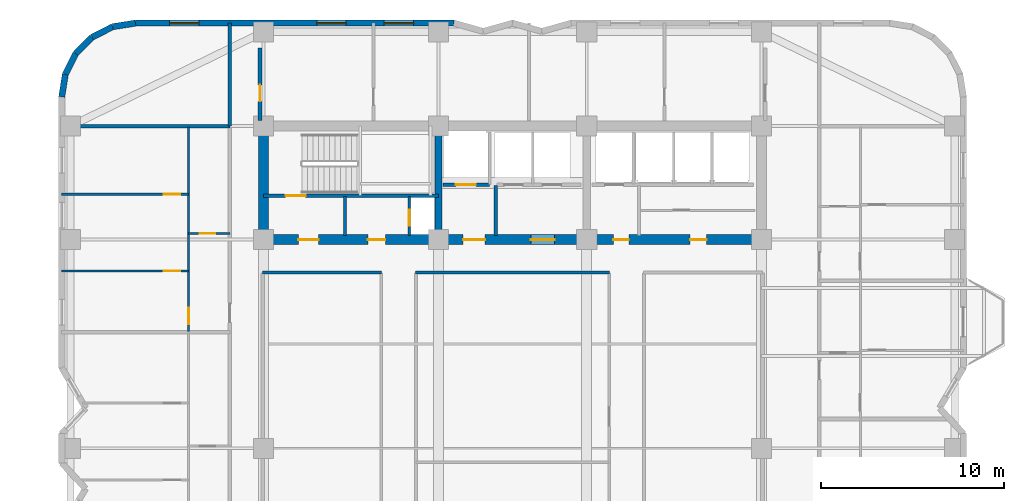
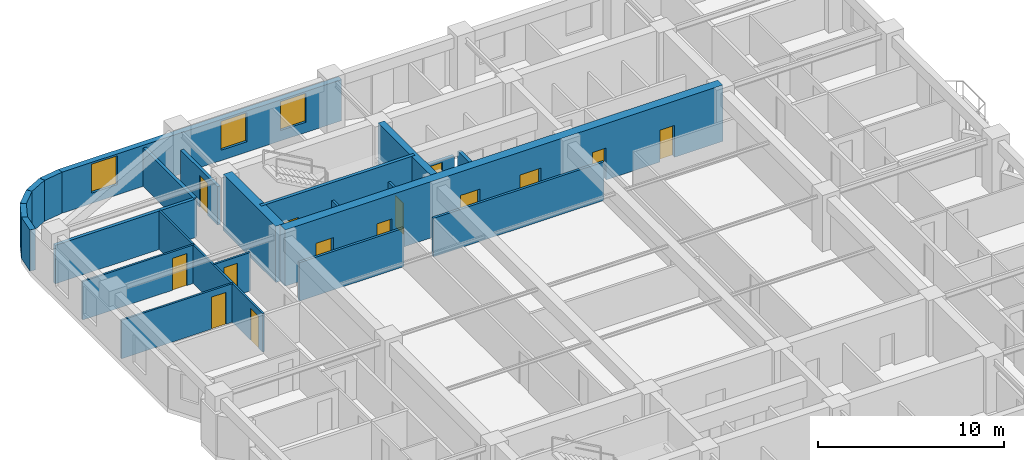
# One storey, part 6 of 10: 23 walls, 14 doors, 3 windows, 17 openings.
"""IFC4 building model written with IfcOpenShell, lengths in metres."""

from ifc_helpers import new_model, si_unit, direction, frame, frame_2d, origin, place, context, subcontext, project, spatial, rectangle, extrude, material, layer, layer_set, type_object, element, fill, save


model = new_model("IFC4")

# Units and contexts
model_context = context("Model", 3, precision=1e-05, world=origin(), true_north=direction((0.0, 1.0)))
body_context = subcontext(model_context, "Body", "Model", "MODEL_VIEW")
ifc_project = project(units=[si_unit("LENGTHUNIT", "METRE"), si_unit("AREAUNIT", "SQUARE_METRE"), si_unit("VOLUMEUNIT", "CUBIC_METRE"), si_unit("PLANEANGLEUNIT", "RADIAN"), si_unit("MASSUNIT", "GRAM", prefix="KILO")], contexts=[model_context])

# Site, building, storey
site_placement = place(None, origin())
site = spatial("IfcSite", under=ifc_project, at=site_placement, CompositionType="ELEMENT")
building_placement = place(site_placement, origin())
building = spatial("IfcBuilding", under=site, at=building_placement, Name="Svetorya Sky Lyceum", CompositionType="ELEMENT")
storey_placement = place(building_placement, frame((0.0, 0.0, 114.199951171875)))
storey = spatial("IfcBuildingStorey", under=building, at=storey_placement, Name="L28", CompositionType="ELEMENT", Elevation=114.199951171875)

# Walls
ifc_material_1 = material(Name="Concrete C40/50", Category="concrete")
ifc_layer_1 = layer(ifc_material_1, 0.39990234375)
ifc_layer_set_1 = layer_set([ifc_layer_1], Name="Concrete C40/50")
wall_type_1 = type_object("IfcWallType", Name="WL-CORE-400", PredefinedType="SHEAR", material=ifc_layer_set_1)
wall_1_placement = place(storey_placement, frame((35.14990234375, 39.875, 0.0), z_axis=(0.0, 0.0, 1.0), x_axis=(0.0, 1.0, 0.0)))
element("IfcWall", 1, at=wall_1_placement, inside=storey, type_object=wall_type_1, Name="L28 NC Internal Shear Web WEB1", PredefinedType="SHEAR", context=body_context, shape_type="SweptSolid", body=[
    extrude(rectangle(XDim=5.64990234375, YDim=0.39990234375, at=frame_2d((2.824951171875, 0.0))), origin(), (0.0, 0.0, 1.0), 3.699951171875),
])
ifc_material_2 = material(Name="Concrete C60/75", Category="concrete")
ifc_layer_2 = layer(ifc_material_2, 0.550048828125)
ifc_layer_set_2 = layer_set([ifc_layer_2], Name="Concrete C60/75")
wall_type_2 = type_object("IfcWallType", Name="WL-CORE-550", PredefinedType="SHEAR", material=ifc_layer_set_2)
wall_2_placement = place(storey_placement, frame((25.60009765625, 39.875, 0.0), z_axis=(0.0, 0.0, 1.0), x_axis=(0.0, 1.0, 0.0)))
element("IfcWall", 2, at=wall_2_placement, inside=storey, type_object=wall_type_2, Name="L28 NC West Core Shear Wall", PredefinedType="SHEAR", context=body_context, shape_type="SweptSolid", body=[
    extrude(rectangle(XDim=5.64990234375, YDim=0.550048828125, at=frame_2d((2.824951171875, 0.0))), origin(), (0.0, 0.0, 1.0), 3.699951171875),
])

# Wall, openings, doors
wall_3_placement = place(storey_placement, frame((52.800048828125, 39.60009765625, 0.0), z_axis=(0.0, 0.0, 1.0), x_axis=(-1.0, 0.0, 0.0)))
wall_3 = element("IfcWall", 3, at=wall_3_placement, inside=storey, type_object=wall_type_2, Name="L28 NC Inner Core Shear Wall", PredefinedType="SHEAR", context=body_context, shape_type="SweptSolid", body=[
    extrude(rectangle(XDim=27.199951171875, YDim=0.550048828125, at=frame_2d((13.60009765625, 0.0))), origin(), (0.0, 0.0, 1.0), 3.699951171875),
])
opening_1_placement = place(wall_3_placement, frame((24.199951171875, 0.0, 0.0)))
opening_1 = element("IfcOpeningElement", 4, at=opening_1_placement, cuts=wall_3, Name="Opening D-ST1", PredefinedType="OPENING", context=body_context, shape_type="SweptSolid", body=[
    extrude(rectangle(XDim=1.10009765625, YDim=2.14990234375, at=frame_2d((0.550048828125, 1.074951171875))), frame((0.0, 0.284912109375, 0.0), z_axis=(0.0, -1.0, 0.0), x_axis=(1.0, 0.0, 0.0)), (0.0, 0.0, 1.0), 0.570068359375),
])
opening_2_placement = place(wall_3_placement, frame((20.550048828125, 0.0, 0.0)))
opening_2 = element("IfcOpeningElement", 5, at=opening_2_placement, cuts=wall_3, Name="Opening D-CAC1", PredefinedType="OPENING", context=body_context, shape_type="SweptSolid", body=[
    extrude(rectangle(XDim=0.949951171875, YDim=2.10009765625, at=frame_2d((0.47509765625, 1.050048828125))), frame((0.0, 0.284912109375, 0.0), z_axis=(0.0, -1.0, 0.0), x_axis=(1.0, 0.0, 0.0)), (0.0, 0.0, 1.0), 0.570068359375),
])
opening_3_placement = place(wall_3_placement, frame((15.10009765625, 0.0, 0.0)))
opening_3 = element("IfcOpeningElement", 6, at=opening_3_placement, cuts=wall_3, Name="Opening D-FL1", PredefinedType="OPENING", context=body_context, shape_type="SweptSolid", body=[
    extrude(rectangle(XDim=1.199951171875, YDim=2.14990234375, at=frame_2d((0.60009765625, 1.074951171875))), frame((0.0, 0.284912109375, 0.0), z_axis=(0.0, -1.0, 0.0), x_axis=(1.0, 0.0, 0.0)), (0.0, 0.0, 1.0), 0.570068359375),
])
opening_4_placement = place(wall_3_placement, frame((11.300048828125, 0.0, 0.0)))
opening_4 = element("IfcOpeningElement", 7, at=opening_4_placement, cuts=wall_3, Name="Opening D-LB1", PredefinedType="OPENING", context=body_context, shape_type="SweptSolid", body=[
    extrude(rectangle(XDim=1.300048828125, YDim=2.199951171875, at=frame_2d((0.64990234375, 1.10009765625))), frame((0.0, 0.284912109375, 0.0), z_axis=(0.0, -1.0, 0.0), x_axis=(1.0, 0.0, 0.0)), (0.0, 0.0, 1.0), 0.570068359375),
])
opening_5_placement = place(wall_3_placement, frame((7.25, 0.0, 0.0)))
opening_5 = element("IfcOpeningElement", 8, at=opening_5_placement, cuts=wall_3, Name="Opening D-CWC1", PredefinedType="OPENING", context=body_context, shape_type="SweptSolid", body=[
    extrude(rectangle(XDim=0.85009765625, YDim=2.10009765625, at=frame_2d((0.425048828125, 1.050048828125))), frame((0.0, 0.284912109375, 0.0), z_axis=(0.0, -1.0, 0.0), x_axis=(1.0, 0.0, 0.0)), (0.0, 0.0, 1.0), 0.570068359375),
])
opening_6_placement = place(wall_3_placement, frame((3.0, 0.0, 0.0)))
opening_6 = element("IfcOpeningElement", 9, at=opening_6_placement, cuts=wall_3, Name="Opening D-RM1", PredefinedType="OPENING", context=body_context, shape_type="SweptSolid", body=[
    extrude(rectangle(XDim=0.89990234375, YDim=2.10009765625, at=frame_2d((0.449951171875, 1.050048828125))), frame((0.0, 0.284912109375, 0.0), z_axis=(0.0, -1.0, 0.0), x_axis=(1.0, 0.0, 0.0)), (0.0, 0.0, 1.0), 0.570068359375),
])
ifc_material_3 = material(Name="Fire-rated galvanized steel core accessible WC door", Category="steel")
door_type_1 = type_object("IfcDoorType", Name="DR-CACC-950", OperationType="SINGLE_SWING_LEFT", PredefinedType="DOOR", material=ifc_material_3)
door_1_placement = place(opening_2_placement, origin())
door_1 = element("IfcDoor", 10, at=door_1_placement, inside=storey, type_object=door_type_1, Name="L28 North Core Accessible WC Door", OperationType="SINGLE_SWING_RIGHT", OverallHeight=2.10009765625, OverallWidth=0.949951171875, PredefinedType="DOOR", context=body_context, shape_type="SweptSolid", body=[
    extrude(rectangle(XDim=0.949951171875, YDim=2.10009765625, at=frame_2d((0.47509765625, 1.050048828125))), frame((0.0, 0.02490234375, 0.0), z_axis=(0.0, -1.0, 0.0), x_axis=(1.0, 0.0, 0.0)), (0.0, 0.0, 1.0), 0.050048828125),
])
fill(opening_2, door_1)
ifc_material_4 = material(Name="Fire-rated galvanized steel core service closet door", Category="steel")
door_type_2 = type_object("IfcDoorType", Name="DR-CWET-850", OperationType="SINGLE_SWING_LEFT", PredefinedType="DOOR", material=ifc_material_4)
door_2_placement = place(opening_5_placement, origin())
door_2 = element("IfcDoor", 11, at=door_2_placement, inside=storey, type_object=door_type_2, Name="L28 Mid-Rise Lift PM3 Lobby Door", OperationType="SINGLE_SWING_LEFT", OverallHeight=2.10009765625, OverallWidth=0.85009765625, PredefinedType="DOOR", context=body_context, shape_type="SweptSolid", body=[
    extrude(rectangle(XDim=0.85009765625, YDim=2.10009765625, at=frame_2d((0.425048828125, 1.050048828125))), frame((0.0, 0.02490234375, 0.0), z_axis=(0.0, -1.0, 0.0), x_axis=(1.0, 0.0, 0.0)), (0.0, 0.0, 1.0), 0.050048828125),
])
fill(opening_5, door_2)
ifc_material_5 = material(Name="Powder-coated insulated galvanized stair fire door")
door_type_3 = type_object("IfcDoorType", Name="DR-FIRE-1100", OperationType="SINGLE_SWING_LEFT", PredefinedType="DOOR", material=ifc_material_5)
door_3_placement = place(opening_1_placement, origin())
door_3 = element("IfcDoor", 12, at=door_3_placement, inside=storey, type_object=door_type_3, Name="L28 North Stair Airlock Door", OperationType="SINGLE_SWING_LEFT", OverallHeight=2.14990234375, OverallWidth=1.10009765625, PredefinedType="DOOR", context=body_context, shape_type="SweptSolid", body=[
    extrude(rectangle(XDim=1.10009765625, YDim=2.14990234375, at=frame_2d((0.550048828125, 1.074951171875))), frame((0.0, 0.02490234375, 0.0), z_axis=(0.0, -1.0, 0.0), x_axis=(1.0, 0.0, 0.0)), (0.0, 0.0, 1.0), 0.050048828125),
])
fill(opening_1, door_3)
ifc_material_6 = material(Name="Powder-coated insulated galvanized fire door")
door_type_4 = type_object("IfcDoorType", Name="DR-FIRE-1200", OperationType="SINGLE_SWING_LEFT", PredefinedType="DOOR", material=ifc_material_6)
door_4_placement = place(opening_3_placement, origin())
door_4 = element("IfcDoor", 13, at=door_4_placement, inside=storey, type_object=door_type_4, Name="L28 North Firefighting Lift Lobby Door", OperationType="SINGLE_SWING_RIGHT", OverallHeight=2.14990234375, OverallWidth=1.199951171875, PredefinedType="DOOR", context=body_context, shape_type="SweptSolid", body=[
    extrude(rectangle(XDim=1.199951171875, YDim=2.14990234375, at=frame_2d((0.60009765625, 1.074951171875))), frame((0.0, 0.02490234375, 0.0), z_axis=(0.0, -1.0, 0.0), x_axis=(1.0, 0.0, 0.0)), (0.0, 0.0, 1.0), 0.050048828125),
])
fill(opening_3, door_4)
ifc_material_7 = material(Name="Lacquered birch veneer internal door")
door_type_5 = type_object("IfcDoorType", Name="DR-INT-900", OperationType="SINGLE_SWING_LEFT", PredefinedType="DOOR", material=ifc_material_7)
door_5_placement = place(opening_6_placement, origin())
door_5 = element("IfcDoor", 14, at=door_5_placement, inside=storey, type_object=door_type_5, Name="L28 Mid-Rise Pantry Door", OperationType="SINGLE_SWING_LEFT", OverallHeight=2.10009765625, OverallWidth=0.89990234375, PredefinedType="DOOR", context=body_context, shape_type="SweptSolid", body=[
    extrude(rectangle(XDim=0.89990234375, YDim=2.10009765625, at=frame_2d((0.449951171875, 1.050048828125))), frame((0.0, 0.02490234375, 0.0), z_axis=(0.0, -1.0, 0.0), x_axis=(1.0, 0.0, 0.0)), (0.0, 0.0, 1.0), 0.050048828125),
])
fill(opening_6, door_5)
ifc_material_8 = material(Name="Glazed fire-rated aluminium lobby door", Category="aluminium")
door_type_6 = type_object("IfcDoorType", Name="DR-LOB-1300", OperationType="SINGLE_SWING_LEFT", PredefinedType="DOOR", material=ifc_material_8)
door_6_placement = place(opening_4_placement, origin())
door_6 = element("IfcDoor", 15, at=door_6_placement, inside=storey, type_object=door_type_6, Name="L28 Mid-Rise Lift Lobby West Door", OperationType="SINGLE_SWING_LEFT", OverallHeight=2.199951171875, OverallWidth=1.300048828125, PredefinedType="DOOR", context=body_context, shape_type="SweptSolid", body=[
    extrude(rectangle(XDim=1.300048828125, YDim=2.199951171875, at=frame_2d((0.64990234375, 1.10009765625))), frame((0.0, 0.02490234375, 0.0), z_axis=(0.0, -1.0, 0.0), x_axis=(1.0, 0.0, 0.0)), (0.0, 0.0, 1.0), 0.050048828125),
])
fill(opening_4, door_6)

# Wall, openings, windows
ifc_material_9 = material(Name="Putilovo limestone rainscreen on autoclaved cellular masonry", Category="masonry")
ifc_layer_3 = layer(ifc_material_9, 0.340087890625)
ifc_layer_set_3 = layer_set([ifc_layer_3], Name="Putilovo limestone rainscreen on autoclaved cellular masonry")
wall_type_3 = type_object("IfcWallType", Name="WL-EXT-340", PredefinedType="SOLIDWALL", material=ifc_layer_set_3)
wall_4_placement = place(storey_placement, frame((36.0, 51.429931640625, 0.0), z_axis=(0.0, 0.0, 1.0), x_axis=(-1.0, 0.0, 0.0)))
wall_4 = element("IfcWall", 16, at=wall_4_placement, inside=storey, type_object=wall_type_3, Name="L28 Limestone Exterior Wall 34M", PredefinedType="SOLIDWALL", context=body_context, shape_type="SweptSolid", body=[
    extrude(rectangle(XDim=17.39990234375, YDim=0.340087890625, at=frame_2d((8.699951171875, 0.0))), origin(), (0.0, 0.0, 1.0), 2.699951171875),
])
opening_7_placement = place(wall_4_placement, frame((2.21240234375, 0.0, 0.679931640625)))
opening_7 = element("IfcOpeningElement", 17, at=opening_7_placement, cuts=wall_4, Name="Opening W-R4", PredefinedType="OPENING", context=body_context, shape_type="SweptSolid", body=[
    extrude(rectangle(XDim=1.60009765625, YDim=1.89990234375, at=frame_2d((0.800048828125, 0.949951171875))), frame((0.0, 0.179931640625, 0.0), z_axis=(0.0, -1.0, 0.0), x_axis=(1.0, 0.0, 0.0)), (0.0, 0.0, 1.0), 0.360107421875),
])
opening_8_placement = place(wall_4_placement, frame((5.887451171875, 0.0, 0.679931640625)))
opening_8 = element("IfcOpeningElement", 18, at=opening_8_placement, cuts=wall_4, Name="Opening W-R4", PredefinedType="OPENING", context=body_context, shape_type="SweptSolid", body=[
    extrude(rectangle(XDim=1.60009765625, YDim=1.89990234375, at=frame_2d((0.800048828125, 0.949951171875))), frame((0.0, 0.179931640625, 0.0), z_axis=(0.0, -1.0, 0.0), x_axis=(1.0, 0.0, 0.0)), (0.0, 0.0, 1.0), 0.360107421875),
])
opening_9_placement = place(wall_4_placement, frame((13.9375, 0.0, 0.679931640625)))
opening_9 = element("IfcOpeningElement", 19, at=opening_9_placement, cuts=wall_4, Name="Opening W-R4", PredefinedType="OPENING", context=body_context, shape_type="SweptSolid", body=[
    extrude(rectangle(XDim=1.60009765625, YDim=1.89990234375, at=frame_2d((0.800048828125, 0.949951171875))), frame((0.0, 0.179931640625, 0.0), z_axis=(0.0, -1.0, 0.0), x_axis=(1.0, 0.0, 0.0)), (0.0, 0.0, 1.0), 0.360107421875),
])
ifc_material_10 = material(Name="Thermally broken aluminium frame with triple low-E glazing", Category="aluminium")
window_type = type_object("IfcWindowType", Name="WN-RES-160", PartitioningType="DOUBLE_PANEL_VERTICAL", PredefinedType="WINDOW", material=ifc_material_10)
window_1_placement = place(opening_7_placement, origin())
window_1 = element("IfcWindow", 20, at=window_1_placement, inside=storey, type_object=window_type, Name="L28 Facade Window W-R4.34M.1", OverallHeight=1.89990234375, OverallWidth=1.60009765625, PartitioningType="SINGLE_PANEL", PredefinedType="WINDOW", context=body_context, shape_type="SweptSolid", body=[
    extrude(rectangle(XDim=1.60009765625, YDim=1.89990234375, at=frame_2d((0.800048828125, 0.949951171875))), frame((0.0, 0.030029296875, 0.0), z_axis=(0.0, -1.0, 0.0), x_axis=(1.0, 0.0, 0.0)), (0.0, 0.0, 1.0), 0.06005859375),
])
fill(opening_7, window_1)
window_2_placement = place(opening_8_placement, origin())
window_2 = element("IfcWindow", 21, at=window_2_placement, inside=storey, type_object=window_type, Name="L28 Facade Window W-R4.34M.2", OverallHeight=1.89990234375, OverallWidth=1.60009765625, PartitioningType="SINGLE_PANEL", PredefinedType="WINDOW", context=body_context, shape_type="SweptSolid", body=[
    extrude(rectangle(XDim=1.60009765625, YDim=1.89990234375, at=frame_2d((0.800048828125, 0.949951171875))), frame((0.0, 0.030029296875, 0.0), z_axis=(0.0, -1.0, 0.0), x_axis=(1.0, 0.0, 0.0)), (0.0, 0.0, 1.0), 0.06005859375),
])
fill(opening_8, window_2)
window_3_placement = place(opening_9_placement, origin())
window_3 = element("IfcWindow", 22, at=window_3_placement, inside=storey, type_object=window_type, Name="L28 Facade Window W-R4.34M.3", OverallHeight=1.89990234375, OverallWidth=1.60009765625, PartitioningType="SINGLE_PANEL", PredefinedType="WINDOW", context=body_context, shape_type="SweptSolid", body=[
    extrude(rectangle(XDim=1.60009765625, YDim=1.89990234375, at=frame_2d((0.800048828125, 0.949951171875))), frame((0.0, 0.030029296875, 0.0), z_axis=(0.0, -1.0, 0.0), x_axis=(1.0, 0.0, 0.0)), (0.0, 0.0, 1.0), 0.06005859375),
])
fill(opening_9, window_3)

# Walls
wall_5_placement = place(storey_placement, frame((18.60009765625, 51.429931640625, 0.0), z_axis=(0.0, 0.0, 1.0), x_axis=(-0.98771582066, -0.156260864002, 0.0)))
element("IfcWall", 23, at=wall_5_placement, inside=storey, type_object=wall_type_3, Name="L28 Limestone Exterior Wall 35M", PredefinedType="SOLIDWALL", context=body_context, shape_type="SweptSolid", body=[
    extrude(rectangle(XDim=1.2607421875, YDim=0.340087890625, at=frame_2d((0.63037109375, 0.0))), origin(), (0.0, 0.0, 1.0), 2.699951171875),
])
for number, where, z_axis, x_axis, name in (
    (24, (17.354736328125, 51.23291015625, 0.0), (0.0, 0.0, 1.0), (-0.890993689142, -0.454015689056, 0.0), "L28 Limestone Exterior Wall 36M"),
    (25, (16.231201171875, 50.660400390625, 0.0), (0.0, 0.0, 1.0), (-0.707106781187, -0.707106781187, 0.0), "L28 Limestone Exterior Wall 37M"),
    (26, (15.339599609375, 49.768798828125, 0.0), (0.0, 0.0, 1.0), (-0.454015689056, -0.890993689142, 0.0), "L28 Limestone Exterior Wall 38M"),
):
    element("IfcWall", number, at=place(storey_placement, frame(where, z_axis=z_axis, x_axis=x_axis)), inside=storey, type_object=wall_type_3, Name=name, PredefinedType="SOLIDWALL", context=body_context, shape_type="SweptSolid", body=[
        extrude(rectangle(XDim=1.260986328125, YDim=0.340087890625, at=frame_2d((0.63037109375, 0.0))), origin(), (0.0, 0.0, 1.0), 2.699951171875),
    ])
wall_6_placement = place(storey_placement, frame((14.76708984375, 48.645263671875, 0.0), z_axis=(0.0, 0.0, 1.0), x_axis=(-0.156260864002, -0.98771582066, 0.0)))
element("IfcWall", 27, at=wall_6_placement, inside=storey, type_object=wall_type_3, Name="L28 Limestone Exterior Wall 39M", PredefinedType="SOLIDWALL", context=body_context, shape_type="SweptSolid", body=[
    extrude(rectangle(XDim=1.2607421875, YDim=0.340087890625, at=frame_2d((0.63037109375, 0.0))), origin(), (0.0, 0.0, 1.0), 2.699951171875),
])

# Wall, opening, door
ifc_material_11 = material(Name="Twin-stud galvanized framing with double fireboard", Category="gypsum")
ifc_layer_4 = layer(ifc_material_11, 0.1201171875)
ifc_layer_set_4 = layer_set([ifc_layer_4], Name="Twin-stud galvanized framing with double fireboard")
wall_type_4 = type_object("IfcWallType", Name="WL-PART-120", PredefinedType="PARTITIONING", material=ifc_layer_set_4)
wall_7_placement = place(storey_placement, frame((21.5, 39.93603515625, 0.0), z_axis=(0.0, 0.0, 1.0), x_axis=(1.0, 0.0, 0.0)))
wall_7 = element("IfcWall", 28, at=wall_7_placement, inside=storey, type_object=wall_type_4, Name="L28 Interior Partition W3-WH1", PredefinedType="PARTITIONING", context=body_context, shape_type="SweptSolid", body=[
    extrude(rectangle(XDim=2.25, YDim=0.1201171875, at=frame_2d((1.125, 0.0))), origin(), (0.0, 0.0, 1.0), 2.530029296875),
])
opening_10_placement = place(wall_7_placement, frame((0.60009765625, 0.0, 0.0)))
opening_10 = element("IfcOpeningElement", 29, at=opening_10_placement, cuts=wall_7, Name="Opening D-BT1", PredefinedType="OPENING", context=body_context, shape_type="SweptSolid", body=[
    extrude(rectangle(XDim=0.85009765625, YDim=2.10009765625, at=frame_2d((0.425048828125, 1.050048828125))), frame((0.0, 0.070068359375, 0.0), z_axis=(0.0, -1.0, 0.0), x_axis=(1.0, 0.0, 0.0)), (0.0, 0.0, 1.0), 0.14013671875),
])
ifc_material_12 = material(Name="Moisture-resistant laminate bathroom door")
door_type_7 = type_object("IfcDoorType", Name="DR-WET-850", OperationType="SINGLE_SWING_LEFT", PredefinedType="DOOR", material=ifc_material_12)
door_7_placement = place(opening_10_placement, origin())
door_7 = element("IfcDoor", 30, at=door_7_placement, inside=storey, type_object=door_type_7, Name="Apartment W3 Bathroom Door", OperationType="SINGLE_SWING_LEFT", OverallHeight=2.10009765625, OverallWidth=0.85009765625, PredefinedType="DOOR", context=body_context, shape_type="SweptSolid", body=[
    extrude(rectangle(XDim=0.85009765625, YDim=2.10009765625, at=frame_2d((0.425048828125, 1.050048828125))), frame((0.0, 0.02490234375, 0.0), z_axis=(0.0, -1.0, 0.0), x_axis=(1.0, 0.0, 0.0)), (0.0, 0.0, 1.0), 0.050048828125),
])
fill(opening_10, door_7)

wall_8_placement = place(storey_placement, frame((14.570068359375, 37.885986328125, 0.0), z_axis=(0.0, 0.0, 1.0), x_axis=(1.0, 0.0, 0.0)))
wall_8 = element("IfcWall", 31, at=wall_8_placement, inside=storey, type_object=wall_type_4, Name="L28 Interior Partition W3-WL1", PredefinedType="PARTITIONING", context=body_context, shape_type="SweptSolid", body=[
    extrude(rectangle(XDim=6.929931640625, YDim=0.1201171875, at=frame_2d((3.46484375, 0.0))), origin(), (0.0, 0.0, 1.0), 2.530029296875),
])
opening_11_placement = place(wall_8_placement, frame((5.580078125, 0.0, 0.0)))
opening_11 = element("IfcOpeningElement", 32, at=opening_11_placement, cuts=wall_8, Name="Opening D-RM1", PredefinedType="OPENING", context=body_context, shape_type="SweptSolid", body=[
    extrude(rectangle(XDim=0.89990234375, YDim=2.10009765625, at=frame_2d((0.449951171875, 1.050048828125))), frame((0.0, 0.070068359375, 0.0), z_axis=(0.0, -1.0, 0.0), x_axis=(1.0, 0.0, 0.0)), (0.0, 0.0, 1.0), 0.14013671875),
])
door_8_placement = place(opening_11_placement, origin())
door_8 = element("IfcDoor", 33, at=door_8_placement, inside=storey, type_object=door_type_5, Name="Apartment W3 Master Bedroom Door", OperationType="SINGLE_SWING_LEFT", OverallHeight=2.10009765625, OverallWidth=0.89990234375, PredefinedType="DOOR", context=body_context, shape_type="SweptSolid", body=[
    extrude(rectangle(XDim=0.89990234375, YDim=2.10009765625, at=frame_2d((0.449951171875, 1.050048828125))), frame((0.0, 0.02490234375, 0.0), z_axis=(0.0, -1.0, 0.0), x_axis=(1.0, 0.0, 0.0)), (0.0, 0.0, 1.0), 0.050048828125),
])
fill(opening_11, door_8)

wall_9_placement = place(storey_placement, frame((14.570068359375, 42.0859375, 0.0), z_axis=(0.0, 0.0, 1.0), x_axis=(1.0, 0.0, 0.0)))
wall_9 = element("IfcWall", 34, at=wall_9_placement, inside=storey, type_object=wall_type_4, Name="L28 Interior Partition W3-WL2", PredefinedType="PARTITIONING", context=body_context, shape_type="SweptSolid", body=[
    extrude(rectangle(XDim=6.929931640625, YDim=0.1201171875, at=frame_2d((3.46484375, 0.0))), origin(), (0.0, 0.0, 1.0), 2.530029296875),
])
opening_12_placement = place(wall_9_placement, frame((5.580078125, 0.0, 0.0)))
opening_12 = element("IfcOpeningElement", 35, at=opening_12_placement, cuts=wall_9, Name="Opening D-RM1", PredefinedType="OPENING", context=body_context, shape_type="SweptSolid", body=[
    extrude(rectangle(XDim=0.89990234375, YDim=2.10009765625, at=frame_2d((0.449951171875, 1.050048828125))), frame((0.0, 0.070068359375, 0.0), z_axis=(0.0, -1.0, 0.0), x_axis=(1.0, 0.0, 0.0)), (0.0, 0.0, 1.0), 0.14013671875),
])
door_9_placement = place(opening_12_placement, origin())
door_9 = element("IfcDoor", 36, at=door_9_placement, inside=storey, type_object=door_type_5, Name="Apartment W3 Bedroom 2 Door", OperationType="SINGLE_SWING_RIGHT", OverallHeight=2.10009765625, OverallWidth=0.89990234375, PredefinedType="DOOR", context=body_context, shape_type="SweptSolid", body=[
    extrude(rectangle(XDim=0.89990234375, YDim=2.10009765625, at=frame_2d((0.449951171875, 1.050048828125))), frame((0.0, 0.02490234375, 0.0), z_axis=(0.0, -1.0, 0.0), x_axis=(1.0, 0.0, 0.0)), (0.0, 0.0, 1.0), 0.050048828125),
])
fill(opening_12, door_9)

wall_10_placement = place(storey_placement, frame((21.5, 34.575927734375, 0.0), z_axis=(0.0, 0.0, 1.0), x_axis=(0.0, 1.0, 0.0)))
wall_10 = element("IfcWall", 37, at=wall_10_placement, inside=storey, type_object=wall_type_4, Name="L28 Interior Partition W3-WV", PredefinedType="PARTITIONING", context=body_context, shape_type="SweptSolid", body=[
    extrude(rectangle(XDim=11.18408203125, YDim=0.1201171875, at=frame_2d((5.592041015625, 0.0))), origin(), (0.0, 0.0, 1.0), 2.530029296875),
])
opening_13_placement = place(wall_10_placement, frame((0.409912109375, 0.0, 0.0)))
opening_13 = element("IfcOpeningElement", 38, at=opening_13_placement, cuts=wall_10, Name="Opening D-RM1", PredefinedType="OPENING", context=body_context, shape_type="SweptSolid", body=[
    extrude(rectangle(XDim=0.89990234375, YDim=2.10009765625, at=frame_2d((0.449951171875, 1.050048828125))), frame((0.0, 0.070068359375, 0.0), z_axis=(0.0, -1.0, 0.0), x_axis=(1.0, 0.0, 0.0)), (0.0, 0.0, 1.0), 0.14013671875),
])
door_10_placement = place(opening_13_placement, origin())
door_10 = element("IfcDoor", 39, at=door_10_placement, inside=storey, type_object=door_type_5, Name="Apartment W3 Living Door", OperationType="SINGLE_SWING_RIGHT", OverallHeight=2.10009765625, OverallWidth=0.89990234375, PredefinedType="DOOR", context=body_context, shape_type="SweptSolid", body=[
    extrude(rectangle(XDim=0.89990234375, YDim=2.10009765625, at=frame_2d((0.449951171875, 1.050048828125))), frame((0.0, 0.02490234375, 0.0), z_axis=(0.0, -1.0, 0.0), x_axis=(1.0, 0.0, 0.0)), (0.0, 0.0, 1.0), 0.050048828125),
])
fill(opening_13, door_10)

ifc_material_13 = material(Name="Autoclaved cellular masonry blockwork with acoustic render", Category="masonry")
ifc_layer_5 = layer(ifc_material_13, 0.14990234375)
ifc_layer_set_5 = layer_set([ifc_layer_5], Name="Autoclaved cellular masonry blockwork with acoustic render")
wall_type_5 = type_object("IfcWallType", Name="WL-PART-150", PredefinedType="PARTITIONING", material=ifc_layer_set_5)
wall_11_placement = place(storey_placement, frame((33.550048828125, 39.820068359375, 0.0), z_axis=(0.0, 0.0, 1.0), x_axis=(0.0, 1.0, 0.0)))
wall_11 = element("IfcWall", 40, at=wall_11_placement, inside=storey, type_object=wall_type_5, Name="L28 Interior Partition NC-RSRW", PredefinedType="PARTITIONING", context=body_context, shape_type="SweptSolid", body=[
    extrude(rectangle(XDim=2.1298828125, YDim=0.14990234375, at=frame_2d((1.06494140625, 0.0))), origin(), (0.0, 0.0, 1.0), 2.530029296875),
])
opening_14_placement = place(wall_11_placement, frame((0.550048828125, 0.0, 0.0)))
opening_14 = element("IfcOpeningElement", 41, at=opening_14_placement, cuts=wall_11, Name="Opening D-SH1", PredefinedType="OPENING", context=body_context, shape_type="SweptSolid", body=[
    extrude(rectangle(XDim=0.85009765625, YDim=2.050048828125, at=frame_2d((0.425048828125, 1.02490234375))), frame((0.0, 0.0849609375, 0.0), z_axis=(0.0, -1.0, 0.0), x_axis=(1.0, 0.0, 0.0)), (0.0, 0.0, 1.0), 0.169921875),
])
ifc_material_14 = material(Name="Insulated galvanized riser inspection fire door")
door_type_8 = type_object("IfcDoorType", Name="DR-SHFT-850", OperationType="SINGLE_SWING_LEFT", PredefinedType="TRAPDOOR", material=ifc_material_14)
door_11_placement = place(opening_14_placement, origin())
door_11 = element("IfcDoor", 42, at=door_11_placement, inside=storey, type_object=door_type_8, Name="L28 North Riser Access Door", OperationType="SINGLE_SWING_LEFT", OverallHeight=2.050048828125, OverallWidth=0.85009765625, PredefinedType="TRAPDOOR", context=body_context, shape_type="SweptSolid", body=[
    extrude(rectangle(XDim=0.85009765625, YDim=2.050048828125, at=frame_2d((0.425048828125, 1.02490234375))), frame((0.0, 0.02490234375, 0.0), z_axis=(0.0, -1.0, 0.0), x_axis=(1.0, 0.0, 0.0)), (0.0, 0.0, 1.0), 0.050048828125),
])
fill(opening_14, door_11)

# Walls
wall_12_placement = place(storey_placement, frame((30.050048828125, 39.820068359375, 0.0), z_axis=(0.0, 0.0, 1.0), x_axis=(0.0, 1.0, 0.0)))
element("IfcWall", 43, at=wall_12_placement, inside=storey, type_object=wall_type_5, Name="L28 Interior Partition NC-NWD1", PredefinedType="PARTITIONING", context=body_context, shape_type="SweptSolid", body=[
    extrude(rectangle(XDim=2.1298828125, YDim=0.14990234375, at=frame_2d((1.06494140625, 0.0))), origin(), (0.0, 0.0, 1.0), 2.530029296875),
])
wall_13_placement = place(storey_placement, frame((25.550048828125, 37.800048828125, 0.0), z_axis=(0.0, 0.0, 1.0), x_axis=(1.0, 0.0, 0.0)))
element("IfcWall", 44, at=wall_13_placement, inside=storey, type_object=wall_type_5, Name="L28 Interior Partition RL-CN-W", PredefinedType="PARTITIONING", context=body_context, shape_type="SweptSolid", body=[
    extrude(rectangle(XDim=6.5, YDim=0.14990234375, at=frame_2d((3.25, 0.0))), origin(), (0.0, 0.0, 1.0), 2.530029296875),
])
wall_14_placement = place(storey_placement, frame((33.89990234375, 37.800048828125, 0.0), z_axis=(0.0, 0.0, 1.0), x_axis=(1.0, 0.0, 0.0)))
element("IfcWall", 45, at=wall_14_placement, inside=storey, type_object=wall_type_5, Name="L28 Interior Partition RL-CN-M", PredefinedType="PARTITIONING", context=body_context, shape_type="SweptSolid", body=[
    extrude(rectangle(XDim=10.60009765625, YDim=0.14990234375, at=frame_2d((5.300048828125, 0.0))), origin(), (0.0, 0.0, 1.0), 2.530029296875),
])

# Wall, opening, door
ifc_material_15 = material(Name="Autoclaved cellular masonry blockwork with gypsum plaster", Category="masonry")
ifc_layer_6 = layer(ifc_material_15, 0.199951171875)
ifc_layer_set_6 = layer_set([ifc_layer_6], Name="Autoclaved cellular masonry blockwork with gypsum plaster")
wall_type_6 = type_object("IfcWallType", Name="WL-PART-200", PredefinedType="PARTITIONING", material=ifc_layer_set_6)
wall_15_placement = place(storey_placement, frame((37.949951171875, 42.60009765625, 0.0), z_axis=(0.0, 0.0, 1.0), x_axis=(-1.0, 0.0, 0.0)))
wall_15 = element("IfcWall", 46, at=wall_15_placement, inside=storey, type_object=wall_type_6, Name="L28 Interior Partition NC-FL1W", PredefinedType="PARTITIONING", context=body_context, shape_type="SweptSolid", body=[
    extrude(rectangle(XDim=2.550048828125, YDim=0.199951171875, at=frame_2d((1.27490234375, 0.0))), origin(), (0.0, 0.0, 1.0), 2.300048828125),
])
opening_15_placement = place(wall_15_placement, frame((0.75, 0.0, 0.0)))
opening_15 = element("IfcOpeningElement", 47, at=opening_15_placement, cuts=wall_15, Name="Opening LD-FL", PredefinedType="OPENING", context=body_context, shape_type="SweptSolid", body=[
    extrude(rectangle(XDim=1.10009765625, YDim=2.14990234375, at=frame_2d((0.550048828125, 1.074951171875))), frame((0.0, 0.10986328125, 0.0), z_axis=(0.0, -1.0, 0.0), x_axis=(1.0, 0.0, 0.0)), (0.0, 0.0, 1.0), 0.219970703125),
])
ifc_material_16 = material(Name="Fire-rated stainless AISI 304 firefighting lift landing door")
door_type_9 = type_object("IfcDoorType", Name="DR-LIFT-1100", OperationType="SLIDING_TO_LEFT", PredefinedType="DOOR", material=ifc_material_16)
door_12_placement = place(opening_15_placement, origin())
door_12 = element("IfcDoor", 48, at=door_12_placement, inside=storey, type_object=door_type_9, Name="L28 Firefighting Lift FL1 Landing Door", OperationType="SLIDING_TO_LEFT", OverallHeight=2.14990234375, OverallWidth=1.10009765625, PredefinedType="DOOR", context=body_context, shape_type="SweptSolid", body=[
    extrude(rectangle(XDim=1.10009765625, YDim=2.14990234375, at=frame_2d((0.550048828125, 1.074951171875))), frame((0.0, 0.02490234375, 0.0), z_axis=(0.0, -1.0, 0.0), x_axis=(1.0, 0.0, 0.0)), (0.0, 0.0, 1.0), 0.050048828125),
])
fill(opening_15, door_12)

# Walls
wall_16_placement = place(storey_placement, frame((38.280029296875, 39.820068359375, 0.0), z_axis=(0.0, 0.0, 1.0), x_axis=(0.0, 1.0, 0.0)))
element("IfcWall", 49, at=wall_16_placement, inside=storey, type_object=wall_type_6, Name="L28 Interior Partition NC-FFLDIV", PredefinedType="PARTITIONING", context=body_context, shape_type="SweptSolid", body=[
    extrude(rectangle(XDim=2.72998046875, YDim=0.199951171875, at=frame_2d((1.364990234375, 0.0))), origin(), (0.0, 0.0, 1.0), 2.530029296875),
])
wall_17_placement = place(storey_placement, frame((14.989990234375, 45.800048828125, 0.0), z_axis=(0.0, 0.0, 1.0), x_axis=(1.0, 0.0, 0.0)))
element("IfcWall", 50, at=wall_17_placement, inside=storey, type_object=wall_type_6, Name="L28 Interior Partition W-CAP-N", PredefinedType="PARTITIONING", context=body_context, shape_type="SweptSolid", body=[
    extrude(rectangle(XDim=8.760009765625, YDim=0.199951171875, at=frame_2d((4.3798828125, 0.0))), origin(), (0.0, 0.0, 1.0), 2.530029296875),
])
wall_18_placement = place(storey_placement, frame((23.75, 45.800048828125, 0.0), z_axis=(0.0, 0.0, 1.0), x_axis=(0.0, 1.0, 0.0)))
element("IfcWall", 51, at=wall_18_placement, inside=storey, type_object=wall_type_6, Name="L28 Interior Partition WC-NW-END", PredefinedType="PARTITIONING", context=body_context, shape_type="SweptSolid", body=[
    extrude(rectangle(XDim=5.6298828125, YDim=0.199951171875, at=frame_2d((2.81494140625, 0.0))), origin(), (0.0, 0.0, 1.0), 2.530029296875),
])

# Wall, opening, door
wall_19_placement = place(storey_placement, frame((25.39990234375, 46.10009765625, 0.0), z_axis=(0.0, 0.0, 1.0), x_axis=(0.0, 1.0, 0.0)))
wall_19 = element("IfcWall", 52, at=wall_19_placement, inside=storey, type_object=wall_type_6, Name="L28 Interior Partition N4-EW", PredefinedType="PARTITIONING", context=body_context, shape_type="SweptSolid", body=[
    extrude(rectangle(XDim=3.97998046875, YDim=0.199951171875, at=frame_2d((1.989990234375, 0.0))), origin(), (0.0, 0.0, 1.0), 2.530029296875),
])
opening_16_placement = place(wall_19_placement, frame((1.050048828125, 0.0, 0.0)))
opening_16 = element("IfcOpeningElement", 53, at=opening_16_placement, cuts=wall_19, Name="Opening D-RM1", PredefinedType="OPENING", context=body_context, shape_type="SweptSolid", body=[
    extrude(rectangle(XDim=0.89990234375, YDim=2.10009765625, at=frame_2d((0.449951171875, 1.050048828125))), frame((0.0, 0.10986328125, 0.0), z_axis=(0.0, -1.0, 0.0), x_axis=(1.0, 0.0, 0.0)), (0.0, 0.0, 1.0), 0.219970703125),
])
door_13_placement = place(opening_16_placement, origin())
door_13 = element("IfcDoor", 54, at=door_13_placement, inside=storey, type_object=door_type_5, Name="L28 NW Study Door", OperationType="SINGLE_SWING_RIGHT", OverallHeight=2.10009765625, OverallWidth=0.89990234375, PredefinedType="DOOR", context=body_context, shape_type="SweptSolid", body=[
    extrude(rectangle(XDim=0.89990234375, YDim=2.10009765625, at=frame_2d((0.449951171875, 1.050048828125))), frame((0.0, 0.02490234375, 0.0), z_axis=(0.0, -1.0, 0.0), x_axis=(1.0, 0.0, 0.0)), (0.0, 0.0, 1.0), 0.050048828125),
])
fill(opening_16, door_13)

ifc_material_17 = material(Name="Concrete C50/60", Category="concrete")
ifc_layer_7 = layer(ifc_material_17, 0.199951171875)
ifc_layer_set_7 = layer_set([ifc_layer_7], Name="Concrete C50/60")
wall_type_7 = type_object("IfcWallType", Name="WL-SHW-200", PredefinedType="SHEAR", material=ifc_layer_set_7)
wall_20_placement = place(storey_placement, frame((35.14990234375, 42.0, 0.0), z_axis=(0.0, 0.0, 1.0), x_axis=(-1.0, 0.0, 0.0)))
wall_20 = element("IfcWall", 55, at=wall_20_placement, inside=storey, type_object=wall_type_7, Name="L28 Structural Stair Shaft Wall NC-STW", PredefinedType="SHEAR", context=body_context, shape_type="SweptSolid", body=[
    extrude(rectangle(XDim=9.5498046875, YDim=0.199951171875, at=frame_2d((4.77490234375, 0.0))), origin(), (0.0, 0.0, 1.0), 3.699951171875),
])
opening_17_placement = place(wall_20_placement, frame((7.25, 0.0, 0.0)))
opening_17 = element("IfcOpeningElement", 56, at=opening_17_placement, cuts=wall_20, Name="Opening D-ST1", PredefinedType="OPENING", context=body_context, shape_type="SweptSolid", body=[
    extrude(rectangle(XDim=1.10009765625, YDim=2.14990234375, at=frame_2d((0.550048828125, 1.074951171875))), frame((0.0, 0.10986328125, 0.0), z_axis=(0.0, -1.0, 0.0), x_axis=(1.0, 0.0, 0.0)), (0.0, 0.0, 1.0), 0.219970703125),
])
door_14_placement = place(opening_17_placement, origin())
door_14 = element("IfcDoor", 57, at=door_14_placement, inside=storey, type_object=door_type_3, Name="L28 Stair ST-N Vestibule Fire Door", OperationType="SINGLE_SWING_RIGHT", OverallHeight=2.14990234375, OverallWidth=1.10009765625, PredefinedType="DOOR", context=body_context, shape_type="SweptSolid", body=[
    extrude(rectangle(XDim=1.10009765625, YDim=2.14990234375, at=frame_2d((0.550048828125, 1.074951171875))), frame((0.0, 0.02490234375, 0.0), z_axis=(0.0, -1.0, 0.0), x_axis=(1.0, 0.0, 0.0)), (0.0, 0.0, 1.0), 0.050048828125),
])
fill(opening_17, door_14)

save(model, "model.ifc")
